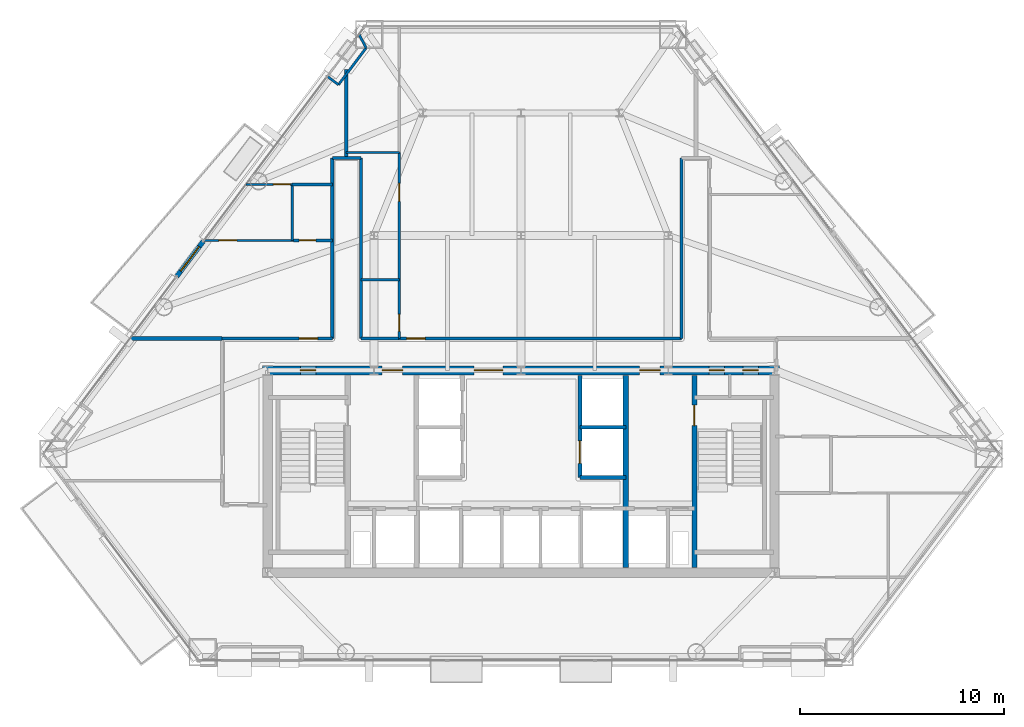
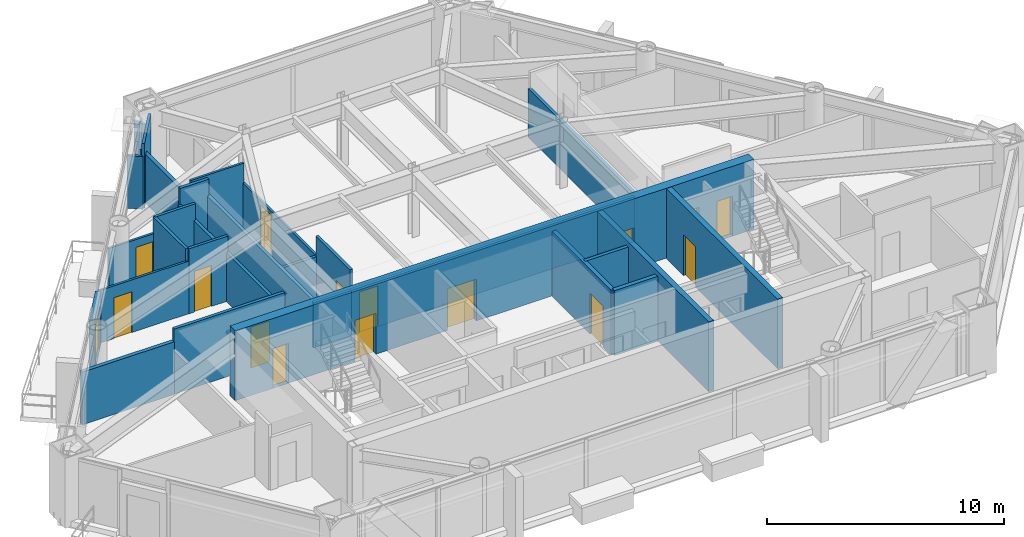
# One storey, part 10 of 14: 28 walls, 16 doors, 16 openings.
"""IFC4 building model written with IfcOpenShell, lengths in metres."""

from ifc_helpers import new_model, si_unit, direction, frame, frame_2d, origin, place, context, subcontext, project, spatial, rectangle, extrude, material, layer, layer_set, type_object, element, fill, save


model = new_model("IFC4")

# Units and contexts
model_context = context("Model", 3, precision=1e-05, world=origin(), true_north=direction((0.0, 1.0)))
body_context = subcontext(model_context, "Body", "Model", "MODEL_VIEW")
ifc_project = project(units=[si_unit("LENGTHUNIT", "METRE"), si_unit("AREAUNIT", "SQUARE_METRE"), si_unit("VOLUMEUNIT", "CUBIC_METRE"), si_unit("PLANEANGLEUNIT", "RADIAN"), si_unit("MASSUNIT", "GRAM", prefix="KILO")], contexts=[model_context])

# Site, building, storey
site_placement = place(None, origin())
site = spatial("IfcSite", under=ifc_project, at=site_placement, CompositionType="ELEMENT")
building_placement = place(site_placement, origin())
building = spatial("IfcBuilding", under=site, at=building_placement, Name="Talgorran Terracotta Tower", CompositionType="ELEMENT")
storey_placement = place(building_placement, frame((0.0, 0.0, 53.10009765625)))
storey = spatial("IfcBuildingStorey", under=building, at=storey_placement, Name="L13", CompositionType="ELEMENT", Elevation=53.10009765625)

# Wall, opening, door
ifc_material_1 = material(Name="Concrete C40/50", Category="concrete")
ifc_layer_1 = layer(ifc_material_1, 0.239990234375, Name="WT_BALCONY_SPAND")
ifc_layer_set_1 = layer_set([ifc_layer_1], Name="Concrete C40/50")
wall_type_1 = type_object("IfcWallType", Name="WT_BALCONY_SPAND", PredefinedType="STANDARD", material=ifc_layer_set_1)
wall_1_placement = place(storey_placement, frame((-15.55908203125, 2.1103515625, -0.01513671875), z_axis=(0.0, 0.0, 1.0), x_axis=(-0.601441023505, -0.798917201746, 0.0)))
wall_1 = element("IfcWall", 1, at=wall_1_placement, inside=storey, type_object=wall_type_1, Name="WL-L13-BALP-BAL-NW", PredefinedType="STANDARD", context=body_context, shape_type="SweptSolid", body=[
    extrude(rectangle(XDim=2.14013671875, YDim=0.239990234375, at=frame_2d((1.070068359375, 0.0))), origin(), (0.0, 0.0, 1.0), 2.728515625),
])
opening_1_placement = place(wall_1_placement, frame((0.320068359375, 0.0, 0.014892578125)))
opening_1 = element("IfcOpeningElement", 2, at=opening_1_placement, cuts=wall_1, Name="Opening D-BAL-L13-2", PredefinedType="OPENING", context=body_context, shape_type="SweptSolid", body=[
    extrude(rectangle(XDim=1.506, YDim=2.203951171875, at=frame_2d((0.75, 1.10205078125))), frame((0.0, 0.1298828125, 0.0), z_axis=(0.0, -1.0, 0.0), x_axis=(1.0, 0.0, 0.0)), (0.0, 0.0, 1.0), 0.260009765625),
])
ifc_material_2 = material(Name="Thermally Broken Aluminium", Category="aluminium")
door_type_1 = type_object("IfcDoorType", Name="DT_BALC_1500", OperationType="SLIDING_TO_RIGHT", PredefinedType="DOOR", material=ifc_material_2)
door_1_placement = place(opening_1_placement, origin())
door_1 = element("IfcDoor", 3, at=door_1_placement, inside=storey, type_object=door_type_1, Name="DR-L13-BAL-BAL-NW", OperationType="SLIDING_TO_RIGHT", OverallHeight=2.199951171875, OverallWidth=1.5, PredefinedType="DOOR", context=body_context, shape_type="SweptSolid", body=[
    extrude(rectangle(XDim=1.5, YDim=2.199951171875, at=frame_2d((0.75, 1.10009765625))), frame((0.0, 0.02490234375, 0.0), z_axis=(0.0, -1.0, 0.0), x_axis=(1.0, 0.0, 0.0)), (0.0, 0.0, 1.0), 0.050048828125),
])
fill(opening_1, door_1)

ifc_material_3 = material(Name="Concrete C50/60", Category="concrete")
ifc_layer_2 = layer(ifc_material_3, 0.199951171875, Name="WT_CORE_200")
ifc_layer_set_2 = layer_set([ifc_layer_2], Name="Concrete C50/60")
wall_type_2 = type_object("IfcWallType", Name="WT_CORE_200", PredefinedType="SOLIDWALL", material=ifc_layer_set_2)
wall_2_placement = place(storey_placement, frame((2.8798828125, -9.449951171875, 0.0), z_axis=(0.0, 0.0, 1.0), x_axis=(0.0, 1.0, 0.0)))
wall_2 = element("IfcWall", 4, at=wall_2_placement, inside=storey, type_object=wall_type_2, Name="WL-L13-CW-V-E3", PredefinedType="SOLIDWALL", context=body_context, shape_type="SweptSolid", body=[
    extrude(rectangle(XDim=5.0, YDim=0.199951171875, at=frame_2d((2.5, 0.0))), origin(), (0.0, 0.0, 1.0), 3.349853515625),
])
opening_2_placement = place(wall_2_placement, frame((0.699951171875, 0.0, 0.0)))
opening_2 = element("IfcOpeningElement", 5, at=opening_2_placement, cuts=wall_2, Name="Opening LD-PLM1", PredefinedType="OPENING", context=body_context, shape_type="SweptSolid", body=[
    extrude(rectangle(XDim=1.10609765625, YDim=2.10409765625, at=frame_2d((0.550048828125, 1.052001953125))), frame((0.0, 0.10986328125, 0.0), z_axis=(0.0, -1.0, 0.0), x_axis=(1.0, 0.0, 0.0)), (0.0, 0.0, 1.0), 0.219970703125),
])
ifc_material_4 = material(Name="Brushed Stainless Steel Grade 304", Category="steel")
door_type_2 = type_object("IfcDoorType", Name="DT_LIFT_LD1100", OperationType="DOUBLE_DOOR_SLIDING", PredefinedType="DOOR", material=ifc_material_4)
door_2_placement = place(opening_2_placement, origin())
door_2 = element("IfcDoor", 6, at=door_2_placement, inside=storey, type_object=door_type_2, Name="L13 Lift Landing Door LD-PLM1", OperationType="DOUBLE_DOOR_SLIDING", OverallHeight=2.10009765625, OverallWidth=1.10009765625, PredefinedType="DOOR", context=body_context, shape_type="SweptSolid", body=[
    extrude(rectangle(XDim=1.10009765625, YDim=2.10009765625, at=frame_2d((0.550048828125, 1.050048828125))), frame((0.0, 0.02490234375, 0.0), z_axis=(0.0, -1.0, 0.0), x_axis=(1.0, 0.0, 0.0)), (0.0, 0.0, 1.0), 0.050048828125),
])
fill(opening_2, door_2)

# Wall
wall_3_placement = place(storey_placement, frame((2.8798828125, -9.449951171875, 0.0), z_axis=(0.0, 0.0, 1.0), x_axis=(1.0, 0.0, 0.0)))
element("IfcWall", 7, at=wall_3_placement, inside=storey, type_object=wall_type_2, Name="WL-L13-CW-H-E4", PredefinedType="SOLIDWALL", context=body_context, shape_type="SweptSolid", body=[
    extrude(rectangle(XDim=2.240234375, YDim=0.199951171875, at=frame_2d((1.1201171875, 0.0))), origin(), (0.0, 0.0, 1.0), 3.349853515625),
])

# Wall, opening, door
ifc_layer_3 = layer(ifc_material_3, 0.25, Name="WT_CORE_250")
ifc_layer_set_3 = layer_set([ifc_layer_3], Name="Concrete C50/60")
wall_type_3 = type_object("IfcWallType", Name="WT_CORE_250", PredefinedType="SHEAR", material=ifc_layer_set_3)
wall_4_placement = place(storey_placement, frame((8.47998046875, -13.85009765625, 0.0), z_axis=(0.0, 0.0, 1.0), x_axis=(0.0, 1.0, 0.0)))
wall_4 = element("IfcWall", 8, at=wall_4_placement, inside=storey, type_object=wall_type_3, Name="WL-L13-CW-V-E1", PredefinedType="SHEAR", context=body_context, shape_type="SweptSolid", body=[
    extrude(rectangle(XDim=9.400146484375, YDim=0.25, at=frame_2d((4.7001953125, 0.0))), origin(), (0.0, 0.0, 1.0), 3.599853515625),
])
opening_3_placement = place(wall_4_placement, frame((6.949951171875, 0.0, 0.0)))
opening_3 = element("IfcOpeningElement", 9, at=opening_3_placement, cuts=wall_4, Name="Opening DR-ST02", PredefinedType="OPENING", context=body_context, shape_type="SweptSolid", body=[
    extrude(rectangle(XDim=1.006, YDim=2.10409765625, at=frame_2d((0.5, 1.052001953125))), frame((0.0, 0.135009765625, 0.0), z_axis=(0.0, -1.0, 0.0), x_axis=(1.0, 0.0, 0.0)), (0.0, 0.0, 1.0), 0.27001953125),
])
ifc_material_5 = material(Name="Fire-Rated Pressed Steel", Category="steel")
door_type_3 = type_object("IfcDoorType", Name="DT_FIRE_1000", OperationType="NOTDEFINED", PredefinedType="DOOR", material=ifc_material_5)
door_3_placement = place(opening_3_placement, origin())
door_3 = element("IfcDoor", 10, at=door_3_placement, inside=storey, type_object=door_type_3, Name="DR-ST02", OperationType="SINGLE_SWING_RIGHT", OverallHeight=2.10009765625, OverallWidth=1.0, PredefinedType="DOOR", context=body_context, shape_type="SweptSolid", body=[
    extrude(rectangle(XDim=1.0, YDim=2.10009765625, at=frame_2d((0.5, 1.050048828125))), frame((0.0, 0.02490234375, 0.0), z_axis=(0.0, -1.0, 0.0), x_axis=(1.0, 0.0, 0.0)), (0.0, 0.0, 1.0), 0.050048828125),
])
fill(opening_3, door_3)

# Wall
wall_5_placement = place(storey_placement, frame((5.1201171875, -13.85009765625, 0.0), z_axis=(0.0, 0.0, 1.0), x_axis=(0.0, 1.0, 0.0)))
element("IfcWall", 11, at=wall_5_placement, inside=storey, type_object=wall_type_3, Name="WL-L13-CW-V-E2", PredefinedType="SHEAR", context=body_context, shape_type="SweptSolid", body=[
    extrude(rectangle(XDim=9.400146484375, YDim=0.25, at=frame_2d((4.7001953125, 0.0))), origin(), (0.0, 0.0, 1.0), 3.599853515625),
])

# Wall, openings, doors
ifc_material_6 = material(Name="Concrete C65/80", Category="concrete")
ifc_layer_4 = layer(ifc_material_6, 0.449951171875, Name="WT_CORE_EXT")
ifc_layer_set_4 = layer_set([ifc_layer_4], Name="Concrete C65/80")
wall_type_4 = type_object("IfcWallType", Name="WT_CORE_EXT", PredefinedType="SHEAR", material=ifc_layer_set_4)
wall_6_placement = place(storey_placement, frame((-12.64990234375, -4.199951171875, 0.0), z_axis=(0.0, 0.0, 1.0), x_axis=(1.0, 0.0, 0.0)))
wall_6 = element("IfcWall", 12, at=wall_6_placement, inside=storey, type_object=wall_type_4, Name="WL-L13-CW-OUT-N", PredefinedType="SHEAR", context=body_context, shape_type="SweptSolid", body=[
    extrude(rectangle(XDim=25.2998046875, YDim=0.449951171875, at=frame_2d((12.64990234375, 0.0))), origin(), (0.0, 0.0, 1.0), 3.599853515625),
])
opening_4_placement = place(wall_6_placement, frame((1.85009765625, 0.0, 0.0)))
opening_4 = element("IfcOpeningElement", 13, at=opening_4_placement, cuts=wall_6, Name="Opening DR-CSN1", PredefinedType="OPENING", context=body_context, shape_type="SweptSolid", body=[
    extrude(rectangle(XDim=0.756, YDim=2.054048828125, at=frame_2d((0.375, 1.027099609375))), frame((0.0, 0.23486328125, 0.0), z_axis=(0.0, -1.0, 0.0), x_axis=(1.0, 0.0, 0.0)), (0.0, 0.0, 1.0), 0.469970703125),
])
opening_5_placement = place(wall_6_placement, frame((21.85009765625, 0.0, 0.0)))
opening_5 = element("IfcOpeningElement", 14, at=opening_5_placement, cuts=wall_6, Name="Opening DR-CSN2", PredefinedType="OPENING", context=body_context, shape_type="SweptSolid", body=[
    extrude(rectangle(XDim=0.756, YDim=2.054048828125, at=frame_2d((0.375, 1.027099609375))), frame((0.0, 0.23486328125, 0.0), z_axis=(0.0, -1.0, 0.0), x_axis=(1.0, 0.0, 0.0)), (0.0, 0.0, 1.0), 0.469970703125),
])
opening_6_placement = place(wall_6_placement, frame((23.5, 0.0, 0.0)))
opening_6 = element("IfcOpeningElement", 15, at=opening_6_placement, cuts=wall_6, Name="Opening DR-CSN3", PredefinedType="OPENING", context=body_context, shape_type="SweptSolid", body=[
    extrude(rectangle(XDim=0.756, YDim=2.054048828125, at=frame_2d((0.375, 1.027099609375))), frame((0.0, 0.23486328125, 0.0), z_axis=(0.0, -1.0, 0.0), x_axis=(1.0, 0.0, 0.0)), (0.0, 0.0, 1.0), 0.469970703125),
])
opening_7_placement = place(wall_6_placement, frame((5.85009765625, 0.0, 0.0)))
opening_7 = element("IfcOpeningElement", 16, at=opening_7_placement, cuts=wall_6, Name="Opening DR-FFLW-N", PredefinedType="OPENING", context=body_context, shape_type="SweptSolid", body=[
    extrude(rectangle(XDim=1.006, YDim=2.10409765625, at=frame_2d((0.5, 1.052001953125))), frame((0.0, 0.23486328125, 0.0), z_axis=(0.0, -1.0, 0.0), x_axis=(1.0, 0.0, 0.0)), (0.0, 0.0, 1.0), 0.469970703125),
])
opening_8_placement = place(wall_6_placement, frame((10.35009765625, 0.0, 0.0)))
opening_8 = element("IfcOpeningElement", 17, at=opening_8_placement, cuts=wall_6, Name="Opening DR-PLL-N", PredefinedType="OPENING", context=body_context, shape_type="SweptSolid", body=[
    extrude(rectangle(XDim=1.40590234375, YDim=2.15390234375, at=frame_2d((0.699951171875, 1.076904296875))), frame((0.0, 0.23486328125, 0.0), z_axis=(0.0, -1.0, 0.0), x_axis=(1.0, 0.0, 0.0)), (0.0, 0.0, 1.0), 0.469970703125),
])
opening_9_placement = place(wall_6_placement, frame((18.449951171875, 0.0, 0.0)))
opening_9 = element("IfcOpeningElement", 18, at=opening_9_placement, cuts=wall_6, Name="Opening DR-FFLE-N", PredefinedType="OPENING", context=body_context, shape_type="SweptSolid", body=[
    extrude(rectangle(XDim=1.006, YDim=2.10409765625, at=frame_2d((0.5, 1.052001953125))), frame((0.0, 0.23486328125, 0.0), z_axis=(0.0, -1.0, 0.0), x_axis=(1.0, 0.0, 0.0)), (0.0, 0.0, 1.0), 0.469970703125),
])
ifc_material_7 = material(Name="Acoustic Glazed Timber", Category="wood")
door_type_4 = type_object("IfcDoorType", Name="DT_DOUBLE_1400", OperationType="DOUBLE_DOOR_SINGLE_SWING", PredefinedType="DOOR", material=ifc_material_7)
door_4_placement = place(opening_8_placement, origin())
door_4 = element("IfcDoor", 19, at=door_4_placement, inside=storey, type_object=door_type_4, Name="DR-PLL-N", OperationType="DOUBLE_DOOR_SINGLE_SWING", OverallHeight=2.14990234375, OverallWidth=1.39990234375, PredefinedType="DOOR", context=body_context, shape_type="SweptSolid", body=[
    extrude(rectangle(XDim=1.39990234375, YDim=2.14990234375, at=frame_2d((0.699951171875, 1.074951171875))), frame((0.0, 0.02490234375, 0.0), z_axis=(0.0, -1.0, 0.0), x_axis=(1.0, 0.0, 0.0)), (0.0, 0.0, 1.0), 0.050048828125),
])
fill(opening_8, door_4)
door_5_placement = place(opening_7_placement, origin())
door_5 = element("IfcDoor", 20, at=door_5_placement, inside=storey, type_object=door_type_3, Name="DR-FFLW-N", OperationType="SINGLE_SWING_LEFT", OverallHeight=2.10009765625, OverallWidth=1.0, PredefinedType="DOOR", context=body_context, shape_type="SweptSolid", body=[
    extrude(rectangle(XDim=1.0, YDim=2.10009765625, at=frame_2d((0.5, 1.050048828125))), frame((0.0, 0.02490234375, 0.0), z_axis=(0.0, -1.0, 0.0), x_axis=(1.0, 0.0, 0.0)), (0.0, 0.0, 1.0), 0.050048828125),
])
fill(opening_7, door_5)
door_6_placement = place(opening_9_placement, origin())
door_6 = element("IfcDoor", 21, at=door_6_placement, inside=storey, type_object=door_type_3, Name="DR-FFLE-N", OperationType="SINGLE_SWING_RIGHT", OverallHeight=2.10009765625, OverallWidth=1.0, PredefinedType="DOOR", context=body_context, shape_type="SweptSolid", body=[
    extrude(rectangle(XDim=1.0, YDim=2.10009765625, at=frame_2d((0.5, 1.050048828125))), frame((0.0, 0.02490234375, 0.0), z_axis=(0.0, -1.0, 0.0), x_axis=(1.0, 0.0, 0.0)), (0.0, 0.0, 1.0), 0.050048828125),
])
fill(opening_9, door_6)
door_type_5 = type_object("IfcDoorType", Name="DT_RISER_750", OperationType="NOTDEFINED", PredefinedType="DOOR", material=ifc_material_5)
door_7_placement = place(opening_4_placement, origin())
door_7 = element("IfcDoor", 22, at=door_7_placement, inside=storey, type_object=door_type_5, Name="DR-CSN1", OperationType="SINGLE_SWING_LEFT", OverallHeight=2.050048828125, OverallWidth=0.75, PredefinedType="DOOR", context=body_context, shape_type="SweptSolid", body=[
    extrude(rectangle(XDim=0.75, YDim=2.050048828125, at=frame_2d((0.375, 1.02490234375))), frame((0.0, 0.02490234375, 0.0), z_axis=(0.0, -1.0, 0.0), x_axis=(1.0, 0.0, 0.0)), (0.0, 0.0, 1.0), 0.050048828125),
])
fill(opening_4, door_7)
door_8_placement = place(opening_5_placement, origin())
door_8 = element("IfcDoor", 23, at=door_8_placement, inside=storey, type_object=door_type_5, Name="DR-CSN2", OperationType="SINGLE_SWING_LEFT", OverallHeight=2.050048828125, OverallWidth=0.75, PredefinedType="DOOR", context=body_context, shape_type="SweptSolid", body=[
    extrude(rectangle(XDim=0.75, YDim=2.050048828125, at=frame_2d((0.375, 1.02490234375))), frame((0.0, 0.02490234375, 0.0), z_axis=(0.0, -1.0, 0.0), x_axis=(1.0, 0.0, 0.0)), (0.0, 0.0, 1.0), 0.050048828125),
])
fill(opening_5, door_8)
door_9_placement = place(opening_6_placement, origin())
door_9 = element("IfcDoor", 24, at=door_9_placement, inside=storey, type_object=door_type_5, Name="DR-CSN3", OperationType="SINGLE_SWING_RIGHT", OverallHeight=2.050048828125, OverallWidth=0.75, PredefinedType="DOOR", context=body_context, shape_type="SweptSolid", body=[
    extrude(rectangle(XDim=0.75, YDim=2.050048828125, at=frame_2d((0.375, 1.02490234375))), frame((0.0, 0.02490234375, 0.0), z_axis=(0.0, -1.0, 0.0), x_axis=(1.0, 0.0, 0.0)), (0.0, 0.0, 1.0), 0.050048828125),
])
fill(opening_6, door_9)

# Wall, opening, door
ifc_material_8 = material(Name="Fire-Rated Steel Stud Plasterboard", Category="steel")
ifc_layer_5 = layer(ifc_material_8, 0.14990234375, Name="WT_FIRE_150")
ifc_layer_set_5 = layer_set([ifc_layer_5], Name="Fire-Rated Steel Stud Plasterboard")
wall_type_5 = type_object("IfcWallType", Name="WT_FIRE_150", PredefinedType="PARTITIONING", material=ifc_layer_set_5)
wall_7_placement = place(storey_placement, frame((-6.0, -2.639892578125, 0.0), z_axis=(0.0, 0.0, 1.0), x_axis=(1.0, 0.0, 0.0)))
wall_7 = element("IfcWall", 25, at=wall_7_placement, inside=storey, type_object=wall_type_5, Name="WL-L13-W-L13-R14", PredefinedType="PARTITIONING", context=body_context, shape_type="SweptSolid", body=[
    extrude(rectangle(XDim=13.840087890625, YDim=0.14990234375, at=frame_2d((6.919921875, 0.0))), origin(), (0.0, 0.0, 1.0), 2.324951171875),
])
opening_10_placement = place(wall_7_placement, frame((0.399658203125, 0.0, 0.0)))
opening_10 = element("IfcOpeningElement", 26, at=opening_10_placement, cuts=wall_7, Name="Opening DR-L13-R15", PredefinedType="OPENING", context=body_context, shape_type="SweptSolid", body=[
    extrude(rectangle(XDim=0.90590234375, YDim=2.10409765625, at=frame_2d((0.449951171875, 1.052001953125))), frame((0.0, 0.0849609375, 0.0), z_axis=(0.0, -1.0, 0.0), x_axis=(1.0, 0.0, 0.0)), (0.0, 0.0, 1.0), 0.169921875),
])
ifc_material_9 = material(Name="Fire-Rated Timber Core", Category="wood")
door_type_6 = type_object("IfcDoorType", Name="DT_FIRE_900", OperationType="NOTDEFINED", PredefinedType="DOOR", material=ifc_material_9)
door_10_placement = place(opening_10_placement, origin())
door_10 = element("IfcDoor", 27, at=door_10_placement, inside=storey, type_object=door_type_6, Name="DR-L13-R15", OperationType="SINGLE_SWING_LEFT", OverallHeight=2.10009765625, OverallWidth=0.89990234375, PredefinedType="DOOR", context=body_context, shape_type="SweptSolid", body=[
    extrude(rectangle(XDim=0.89990234375, YDim=2.10009765625, at=frame_2d((0.449951171875, 1.050048828125))), frame((0.0, 0.02490234375, 0.0), z_axis=(0.0, -1.0, 0.0), x_axis=(1.0, 0.0, 0.0)), (0.0, 0.0, 1.0), 0.050048828125),
])
fill(opening_10, door_10)

# Walls
for number, where, z_axis, x_axis, name in (
    (28, (7.840087890625, -2.639892578125, 0.0), (0.0, 0.0, 1.0), (0.0, 1.0, 0.0), "WL-L13-W-L13-R15"),
    (29, (-7.840087890625, -2.639892578125, 0.0), (0.0, 0.0, 1.0), (0.0, 1.0, 0.0), "WL-L13-W-L13-R13"),
):
    element("IfcWall", number, at=place(storey_placement, frame(where, z_axis=z_axis, x_axis=x_axis)), inside=storey, type_object=wall_type_5, Name=name, PredefinedType="PARTITIONING", context=body_context, shape_type="SweptSolid", body=[
        extrude(rectangle(XDim=8.83984375, YDim=0.14990234375, at=frame_2d((4.419921875, 0.0))), origin(), (0.0, 0.0, 1.0), 2.5087890625),
    ])

# Wall, opening, door
wall_8_placement = place(storey_placement, frame((-14.639892578125, -2.639892578125, 0.0), z_axis=(0.0, 0.0, 1.0), x_axis=(1.0, 0.0, 0.0)))
wall_8 = element("IfcWall", 30, at=wall_8_placement, inside=storey, type_object=wall_type_5, Name="WL-L13-W-L13-R05", PredefinedType="PARTITIONING", context=body_context, shape_type="SweptSolid", body=[
    extrude(rectangle(XDim=5.39990234375, YDim=0.14990234375, at=frame_2d((2.699951171875, 0.0))), origin(), (0.0, 0.0, 1.0), 3.349853515625),
])
opening_11_placement = place(wall_8_placement, frame((3.78271484375, 0.0, 0.0)))
opening_11 = element("IfcOpeningElement", 31, at=opening_11_placement, cuts=wall_8, Name="Opening DR-L13-R08", PredefinedType="OPENING", context=body_context, shape_type="SweptSolid", body=[
    extrude(rectangle(XDim=0.90590234375, YDim=2.10409765625, at=frame_2d((0.449951171875, 1.052001953125))), frame((0.0, 0.0849609375, 0.0), z_axis=(0.0, -1.0, 0.0), x_axis=(1.0, 0.0, 0.0)), (0.0, 0.0, 1.0), 0.169921875),
])
door_11_placement = place(opening_11_placement, origin())
door_11 = element("IfcDoor", 32, at=door_11_placement, inside=storey, type_object=door_type_6, Name="DR-L13-R08", OperationType="SINGLE_SWING_RIGHT", OverallHeight=2.10009765625, OverallWidth=0.89990234375, PredefinedType="DOOR", context=body_context, shape_type="SweptSolid", body=[
    extrude(rectangle(XDim=0.89990234375, YDim=2.10009765625, at=frame_2d((0.449951171875, 1.050048828125))), frame((0.0, 0.02490234375, 0.0), z_axis=(0.0, -1.0, 0.0), x_axis=(1.0, 0.0, 0.0)), (0.0, 0.0, 1.0), 0.050048828125),
])
fill(opening_11, door_11)

# Walls
wall_9_placement = place(storey_placement, frame((-9.239990234375, -2.639892578125, 0.0), z_axis=(0.0, 0.0, 1.0), x_axis=(0.0, 1.0, 0.0)))
element("IfcWall", 33, at=wall_9_placement, inside=storey, type_object=wall_type_5, Name="WL-L13-W-L13-R06", PredefinedType="PARTITIONING", context=body_context, shape_type="SweptSolid", body=[
    extrude(rectangle(XDim=8.83984375, YDim=0.14990234375, at=frame_2d((4.419921875, 0.0))), origin(), (0.0, 0.0, 1.0), 2.5087890625),
])
wall_10_placement = place(storey_placement, frame((-7.840087890625, -2.639892578125, 0.0), z_axis=(0.0, 0.0, 1.0), x_axis=(1.0, 0.0, 0.0)))
element("IfcWall", 34, at=wall_10_placement, inside=storey, type_object=wall_type_5, Name="WL-L13-W-L13-R11", PredefinedType="PARTITIONING", context=body_context, shape_type="SweptSolid", body=[
    extrude(rectangle(XDim=1.838134765625, YDim=0.14990234375, at=frame_2d((0.9189453125, 0.0))), origin(), (0.0, 0.0, 1.0), 2.324951171875),
])
wall_11_placement = place(storey_placement, frame((-9.239990234375, 6.199951171875, 0.0), z_axis=(0.0, 0.0, 1.0), x_axis=(1.0, 0.0, 0.0)))
element("IfcWall", 35, at=wall_11_placement, inside=storey, type_object=wall_type_5, Name="WL-L13-W-L13-R12", PredefinedType="PARTITIONING", context=body_context, shape_type="SweptSolid", body=[
    extrude(rectangle(XDim=1.39990234375, YDim=0.14990234375, at=frame_2d((0.699951171875, 0.0))), origin(), (0.0, 0.0, 1.0), 3.349853515625),
])
ifc_material_10 = material(Name="Acoustic Stud and Plasterboard")
ifc_layer_6 = layer(ifc_material_10, 0.179931640625, Name="WT_PARTY_200")
ifc_layer_set_6 = layer_set([ifc_layer_6], Name="Acoustic Stud and Plasterboard")
wall_type_6 = type_object("IfcWallType", Name="WT_PARTY_200", PredefinedType="PARTITIONING", material=ifc_layer_set_6)
wall_12_placement = place(storey_placement, frame((-19.13525390625, -2.639892578125, 0.0), z_axis=(0.0, 0.0, 1.0), x_axis=(1.0, 0.0, 0.0)))
element("IfcWall", 36, at=wall_12_placement, inside=storey, type_object=wall_type_6, Name="WL-L13-W-L13-R22", PredefinedType="PARTITIONING", context=body_context, shape_type="SweptSolid", body=[
    extrude(rectangle(XDim=4.495361328125, YDim=0.179931640625, at=frame_2d((2.24755859375, 0.0))), origin(), (0.0, 0.0, 1.0), 2.71337890625),
])
wall_13_placement = place(storey_placement, frame((-8.56005859375, 6.199951171875, 0.0), z_axis=(0.0, 0.0, 1.0), x_axis=(0.0, 1.0, 0.0)))
element("IfcWall", 37, at=wall_13_placement, inside=storey, type_object=wall_type_6, Name="WL-L13-W-L13-R39", PredefinedType="PARTITIONING", context=body_context, shape_type="SweptSolid", body=[
    extrude(rectangle(XDim=4.320068359375, YDim=0.179931640625, at=frame_2d((2.16015625, 0.0))), origin(), (0.0, 0.0, 1.0), 2.5087890625),
])

# Wall, opening, door
ifc_material_11 = material(Name="Lightweight Steel Stud Partition", Category="steel")
ifc_layer_7 = layer(ifc_material_11, 0.10498046875, Name="WT_PART_110")
ifc_layer_set_7 = layer_set([ifc_layer_7], Name="Lightweight Steel Stud Partition")
wall_type_7 = type_object("IfcWallType", Name="WT_PART_110", PredefinedType="PARTITIONING", material=ifc_layer_set_7)
wall_14_placement = place(storey_placement, frame((-5.9599609375, 0.239990234375, 0.0), z_axis=(0.0, 0.0, 1.0), x_axis=(0.0, 1.0, 0.0)))
wall_14 = element("IfcWall", 38, at=wall_14_placement, inside=storey, type_object=wall_type_7, Name="WL-L13-W-L13-R43", PredefinedType="PARTITIONING", context=body_context, shape_type="SweptSolid", body=[
    extrude(rectangle(XDim=6.219970703125, YDim=0.10498046875, at=frame_2d((3.10986328125, 0.0))), origin(), (0.0, 0.0, 1.0), 2.324951171875),
])
opening_12_placement = place(wall_14_placement, frame((3.825439453125, 0.0, 0.0)))
opening_12 = element("IfcOpeningElement", 39, at=opening_12_placement, cuts=wall_14, Name="Opening DR-L13-R13", PredefinedType="OPENING", context=body_context, shape_type="SweptSolid", body=[
    extrude(rectangle(XDim=0.8858828125, YDim=2.10409765625, at=frame_2d((0.43994140625, 1.052001953125))), frame((0.0, 0.0625, 0.0), z_axis=(0.0, -1.0, 0.0), x_axis=(1.0, 0.0, 0.0)), (0.0, 0.0, 1.0), 0.125),
])
ifc_material_12 = material(Name="Solid-Core Painted Timber", Category="wood")
door_type_7 = type_object("IfcDoorType", Name="DT_INT_880", OperationType="NOTDEFINED", PredefinedType="DOOR", material=ifc_material_12)
door_12_placement = place(opening_12_placement, origin())
door_12 = element("IfcDoor", 40, at=door_12_placement, inside=storey, type_object=door_type_7, Name="DR-L13-R13", OperationType="SINGLE_SWING_LEFT", OverallHeight=2.10009765625, OverallWidth=0.8798828125, PredefinedType="DOOR", context=body_context, shape_type="SweptSolid", body=[
    extrude(rectangle(XDim=0.8798828125, YDim=2.10009765625, at=frame_2d((0.43994140625, 1.050048828125))), frame((0.0, 0.02490234375, 0.0), z_axis=(0.0, -1.0, 0.0), x_axis=(1.0, 0.0, 0.0)), (0.0, 0.0, 1.0), 0.050048828125),
])
fill(opening_12, door_12)

wall_15_placement = place(storey_placement, frame((-15.521728515625, 2.159912109375, 0.0), z_axis=(0.0, 0.0, 1.0), x_axis=(1.0, 0.0, 0.0)))
wall_15 = element("IfcWall", 41, at=wall_15_placement, inside=storey, type_object=wall_type_7, Name="WL-L13-W-L13-R34", PredefinedType="PARTITIONING", context=body_context, shape_type="SweptSolid", body=[
    extrude(rectangle(XDim=4.3818359375, YDim=0.10498046875, at=frame_2d((2.19091796875, 0.0))), origin(), (0.0, 0.0, 1.0), 2.71337890625),
])
opening_13_placement = place(wall_15_placement, frame((0.732666015625, 0.0, 0.0)))
opening_13 = element("IfcOpeningElement", 42, at=opening_13_placement, cuts=wall_15, Name="Opening DR-L13-R10", PredefinedType="OPENING", context=body_context, shape_type="SweptSolid", body=[
    extrude(rectangle(XDim=0.8858828125, YDim=2.10409765625, at=frame_2d((0.43994140625, 1.052001953125))), frame((0.0, 0.0625, 0.0), z_axis=(0.0, -1.0, 0.0), x_axis=(1.0, 0.0, 0.0)), (0.0, 0.0, 1.0), 0.125),
])
door_13_placement = place(opening_13_placement, origin())
door_13 = element("IfcDoor", 43, at=door_13_placement, inside=storey, type_object=door_type_7, Name="DR-L13-R10", OperationType="SINGLE_SWING_RIGHT", OverallHeight=2.10009765625, OverallWidth=0.8798828125, PredefinedType="DOOR", context=body_context, shape_type="SweptSolid", body=[
    extrude(rectangle(XDim=0.8798828125, YDim=2.10009765625, at=frame_2d((0.43994140625, 1.050048828125))), frame((0.0, 0.02490234375, 0.0), z_axis=(0.0, -1.0, 0.0), x_axis=(1.0, 0.0, 0.0)), (0.0, 0.0, 1.0), 0.050048828125),
])
fill(opening_13, door_13)

# Wall
wall_16_placement = place(storey_placement, frame((-8.56005859375, 6.4599609375, 0.0), z_axis=(0.0, 0.0, 1.0), x_axis=(1.0, 0.0, 0.0)))
element("IfcWall", 44, at=wall_16_placement, inside=storey, type_object=wall_type_7, Name="WL-L13-W-L13-R42", PredefinedType="PARTITIONING", context=body_context, shape_type="SweptSolid", body=[
    extrude(rectangle(XDim=2.60009765625, YDim=0.10498046875, at=frame_2d((1.300048828125, 0.0))), origin(), (0.0, 0.0, 1.0), 3.349853515625),
])

# Wall, opening, door
wall_17_placement = place(storey_placement, frame((-13.458984375, 4.89990234375, 0.0), z_axis=(0.0, 0.0, 1.0), x_axis=(1.0, 0.0, 0.0)))
wall_17 = element("IfcWall", 45, at=wall_17_placement, inside=storey, type_object=wall_type_7, Name="WL-L13-W-L13-R37", PredefinedType="PARTITIONING", context=body_context, shape_type="SweptSolid", body=[
    extrude(rectangle(XDim=2.259033203125, YDim=0.10498046875, at=frame_2d((1.12939453125, 0.0))), origin(), (0.0, 0.0, 1.0), 2.5087890625),
])
opening_14_placement = place(wall_17_placement, frame((1.3388671875, 0.0, 0.0)))
opening_14 = element("IfcOpeningElement", 46, at=opening_14_placement, cuts=wall_17, Name="Opening DR-L13-R11", PredefinedType="OPENING", context=body_context, shape_type="SweptSolid", body=[
    extrude(rectangle(XDim=0.826068359375, YDim=2.10409765625, at=frame_2d((0.41015625, 1.052001953125))), frame((0.0, 0.0625, 0.0), z_axis=(0.0, -1.0, 0.0), x_axis=(1.0, 0.0, 0.0)), (0.0, 0.0, 1.0), 0.125),
])
ifc_material_13 = material(Name="Moisture-Resistant Solid Timber", Category="wood")
door_type_8 = type_object("IfcDoorType", Name="DT_INT_820", OperationType="NOTDEFINED", PredefinedType="DOOR", material=ifc_material_13)
door_14_placement = place(opening_14_placement, origin())
door_14 = element("IfcDoor", 47, at=door_14_placement, inside=storey, type_object=door_type_8, Name="DR-L13-R11", OperationType="SINGLE_SWING_LEFT", OverallHeight=2.10009765625, OverallWidth=0.820068359375, PredefinedType="DOOR", context=body_context, shape_type="SweptSolid", body=[
    extrude(rectangle(XDim=0.820068359375, YDim=2.10009765625, at=frame_2d((0.41015625, 1.050048828125))), frame((0.0, 0.02490234375, 0.0), z_axis=(0.0, -1.0, 0.0), x_axis=(1.0, 0.0, 0.0)), (0.0, 0.0, 1.0), 0.050048828125),
])
fill(opening_14, door_14)

# Walls
ifc_material_14 = material(Name="Insulated Steel Stud Plasterboard", Category="steel")
ifc_layer_8 = layer(ifc_material_14, 0.1201171875, Name="WT_PART_120")
ifc_layer_set_8 = layer_set([ifc_layer_8], Name="Insulated Steel Stud Plasterboard")
wall_type_8 = type_object("IfcWallType", Name="WT_PART_120", PredefinedType="PARTITIONING", material=ifc_layer_set_8)
wall_18_placement = place(storey_placement, frame((-7.585693359375, 11.5712890625, 0.0), z_axis=(0.0, 0.0, 1.0), x_axis=(-0.601407243549, -0.798942630861, 0.0)))
element("IfcWall", 48, at=wall_18_placement, inside=storey, type_object=wall_type_8, Name="WL-L13-BW-L13-15", PredefinedType="PARTITIONING", context=body_context, shape_type="SweptSolid", body=[
    extrude(rectangle(XDim=2.246826171875, YDim=0.1201171875, at=frame_2d((1.12353515625, 0.0))), origin(), (0.0, 0.0, 1.0), 3.349853515625),
])
wall_19_placement = place(storey_placement, frame((-7.922607421875, 12.237548828125, 0.0), z_axis=(0.0, 0.0, 1.0), x_axis=(0.45126383434, -0.892390582546, 0.0)))
element("IfcWall", 49, at=wall_19_placement, inside=storey, type_object=wall_type_8, Name="WL-L13-BW-L13-14", PredefinedType="PARTITIONING", context=body_context, shape_type="SweptSolid", body=[
    extrude(rectangle(XDim=0.74658203125, YDim=0.1201171875, at=frame_2d((0.373291015625, 0.0))), origin(), (0.0, 0.0, 1.0), 2.71337890625),
])
wall_20_placement = place(storey_placement, frame((-8.93701171875, 9.776123046875, 0.0), z_axis=(0.0, 0.0, 1.0), x_axis=(-0.799080830747, 0.601223607265, 0.0)))
element("IfcWall", 50, at=wall_20_placement, inside=storey, type_object=wall_type_8, Name="WL-L13-BW-L13-16", PredefinedType="PARTITIONING", context=body_context, shape_type="SweptSolid", body=[
    extrude(rectangle(XDim=0.669921875, YDim=0.1201171875, at=frame_2d((0.3349609375, 0.0))), origin(), (0.0, 0.0, 1.0), 2.71337890625),
])

# Wall, opening, door
ifc_material_15 = material(Name="Moisture-Resistant Stud Wall")
ifc_layer_9 = layer(ifc_material_15, 0.135009765625, Name="WT_PART_135")
ifc_layer_set_9 = layer_set([ifc_layer_9], Name="Moisture-Resistant Stud Wall")
wall_type_9 = type_object("IfcWallType", Name="WT_PART_135", PredefinedType="PARTITIONING", material=ifc_layer_set_9)
wall_21_placement = place(storey_placement, frame((-5.9599609375, -2.639892578125, 0.0), z_axis=(0.0, 0.0, 1.0), x_axis=(0.0, 1.0, 0.0)))
wall_21 = element("IfcWall", 51, at=wall_21_placement, inside=storey, type_object=wall_type_9, Name="WL-L13-W-L13-R41", PredefinedType="PARTITIONING", context=body_context, shape_type="SweptSolid", body=[
    extrude(rectangle(XDim=2.8798828125, YDim=0.135009765625, at=frame_2d((1.43994140625, 0.0))), origin(), (0.0, 0.0, 1.0), 3.349853515625),
])
opening_15_placement = place(wall_21_placement, frame((0.357421875, 0.0, 0.0)))
opening_15 = element("IfcOpeningElement", 52, at=opening_15_placement, cuts=wall_21, Name="Opening DR-L13-R12", PredefinedType="OPENING", context=body_context, shape_type="SweptSolid", body=[
    extrude(rectangle(XDim=0.826068359375, YDim=2.10409765625, at=frame_2d((0.41015625, 1.052001953125))), frame((0.0, 0.07763671875, 0.0), z_axis=(0.0, -1.0, 0.0), x_axis=(1.0, 0.0, 0.0)), (0.0, 0.0, 1.0), 0.155029296875),
])
door_15_placement = place(opening_15_placement, origin())
door_15 = element("IfcDoor", 53, at=door_15_placement, inside=storey, type_object=door_type_8, Name="DR-L13-R12", OperationType="SINGLE_SWING_RIGHT", OverallHeight=2.10009765625, OverallWidth=0.820068359375, PredefinedType="DOOR", context=body_context, shape_type="SweptSolid", body=[
    extrude(rectangle(XDim=0.820068359375, YDim=2.10009765625, at=frame_2d((0.41015625, 1.050048828125))), frame((0.0, 0.02490234375, 0.0), z_axis=(0.0, -1.0, 0.0), x_axis=(1.0, 0.0, 0.0)), (0.0, 0.0, 1.0), 0.050048828125),
])
fill(opening_15, door_15)

# Wall
wall_22_placement = place(storey_placement, frame((-11.199951171875, 2.159912109375, 0.0), z_axis=(0.0, 0.0, 1.0), x_axis=(0.0, 1.0, 0.0)))
element("IfcWall", 54, at=wall_22_placement, inside=storey, type_object=wall_type_9, Name="WL-L13-W-L13-R35", PredefinedType="PARTITIONING", context=body_context, shape_type="SweptSolid", body=[
    extrude(rectangle(XDim=2.739990234375, YDim=0.135009765625, at=frame_2d((1.3701171875, 0.0))), origin(), (0.0, 0.0, 1.0), 3.349853515625),
])

# Wall, opening, door
wall_23_placement = place(storey_placement, frame((-11.137939453125, 2.159912109375, 0.0), z_axis=(0.0, 0.0, 1.0), x_axis=(1.0, 0.0, 0.0)))
wall_23 = element("IfcWall", 55, at=wall_23_placement, inside=storey, type_object=wall_type_9, Name="WL-L13-W-L13-R33", PredefinedType="PARTITIONING", context=body_context, shape_type="SweptSolid", body=[
    extrude(rectangle(XDim=1.89794921875, YDim=0.135009765625, at=frame_2d((0.948974609375, 0.0))), origin(), (0.0, 0.0, 1.0), 3.349853515625),
])
opening_16_placement = place(wall_23_placement, frame((0.278076171875, 0.0, 0.0)))
opening_16 = element("IfcOpeningElement", 56, at=opening_16_placement, cuts=wall_23, Name="Opening DR-L13-R09", PredefinedType="OPENING", context=body_context, shape_type="SweptSolid", body=[
    extrude(rectangle(XDim=0.826068359375, YDim=2.10409765625, at=frame_2d((0.41015625, 1.052001953125))), frame((0.0, 0.07763671875, 0.0), z_axis=(0.0, -1.0, 0.0), x_axis=(1.0, 0.0, 0.0)), (0.0, 0.0, 1.0), 0.155029296875),
])
door_16_placement = place(opening_16_placement, origin())
door_16 = element("IfcDoor", 57, at=door_16_placement, inside=storey, type_object=door_type_8, Name="DR-L13-R09", OperationType="SINGLE_SWING_LEFT", OverallHeight=2.10009765625, OverallWidth=0.820068359375, PredefinedType="DOOR", context=body_context, shape_type="SweptSolid", body=[
    extrude(rectangle(XDim=0.820068359375, YDim=2.10009765625, at=frame_2d((0.41015625, 1.050048828125))), frame((0.0, 0.02490234375, 0.0), z_axis=(0.0, -1.0, 0.0), x_axis=(1.0, 0.0, 0.0)), (0.0, 0.0, 1.0), 0.050048828125),
])
fill(opening_16, door_16)

# Walls
wall_24_placement = place(storey_placement, frame((-11.199951171875, 4.89990234375, 0.0), z_axis=(0.0, 0.0, 1.0), x_axis=(1.0, 0.0, 0.0)))
element("IfcWall", 58, at=wall_24_placement, inside=storey, type_object=wall_type_9, Name="WL-L13-W-L13-R36", PredefinedType="PARTITIONING", context=body_context, shape_type="SweptSolid", body=[
    extrude(rectangle(XDim=1.9599609375, YDim=0.135009765625, at=frame_2d((0.97998046875, 0.0))), origin(), (0.0, 0.0, 1.0), 3.349853515625),
])
wall_25_placement = place(storey_placement, frame((-7.840087890625, 0.239990234375, 0.0), z_axis=(0.0, 0.0, 1.0), x_axis=(1.0, 0.0, 0.0)))
element("IfcWall", 59, at=wall_25_placement, inside=storey, type_object=wall_type_9, Name="WL-L13-W-L13-R40", PredefinedType="PARTITIONING", context=body_context, shape_type="SweptSolid", body=[
    extrude(rectangle(XDim=1.880126953125, YDim=0.135009765625, at=frame_2d((0.93994140625, 0.0))), origin(), (0.0, 0.0, 1.0), 2.324951171875),
])
ifc_material_16 = material(Name="Fire-Rated Shaftwall")
ifc_layer_10 = layer(ifc_material_16, 0.159912109375, Name="WT_PART_150")
ifc_layer_set_10 = layer_set([ifc_layer_10], Name="Fire-Rated Shaftwall")
wall_type_10 = type_object("IfcWallType", Name="WT_PART_150", PredefinedType="PARTITIONING", material=ifc_layer_set_10)
wall_26_placement = place(storey_placement, frame((2.8798828125, -6.97998046875, 0.0), z_axis=(0.0, 0.0, 1.0), x_axis=(1.0, 0.0, 0.0)))
element("IfcWall", 60, at=wall_26_placement, inside=storey, type_object=wall_type_10, Name="WL-L13-CW-PLM-DIV", PredefinedType="PARTITIONING", context=body_context, shape_type="SweptSolid", body=[
    extrude(rectangle(XDim=2.240234375, YDim=0.159912109375, at=frame_2d((1.1201171875, 0.0))), origin(), (0.0, 0.0, 1.0), 3.349853515625),
])

save(model, "model.ifc")
